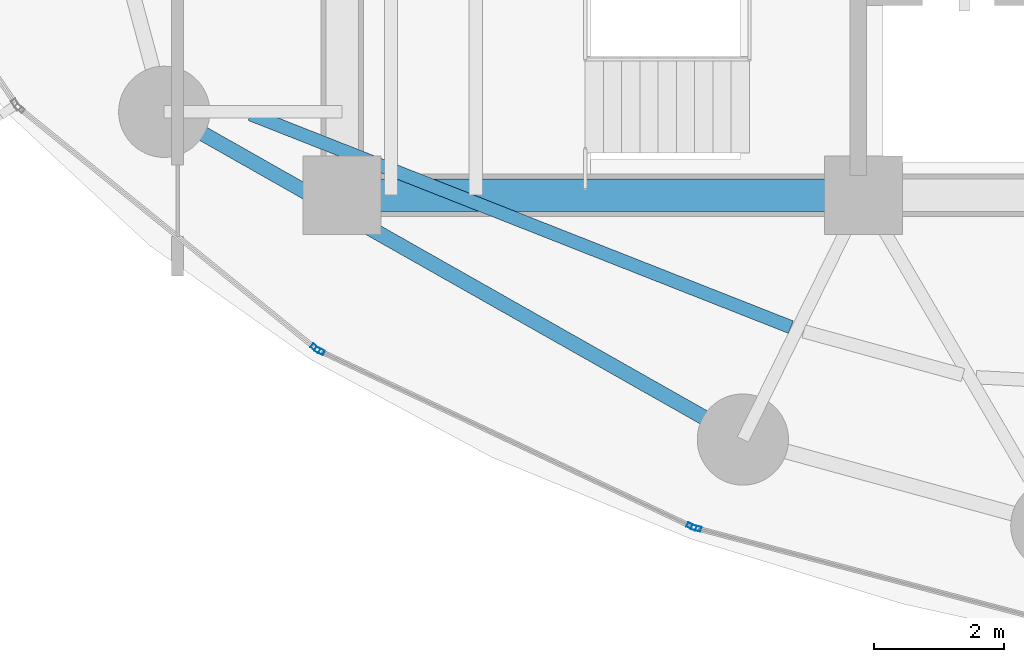
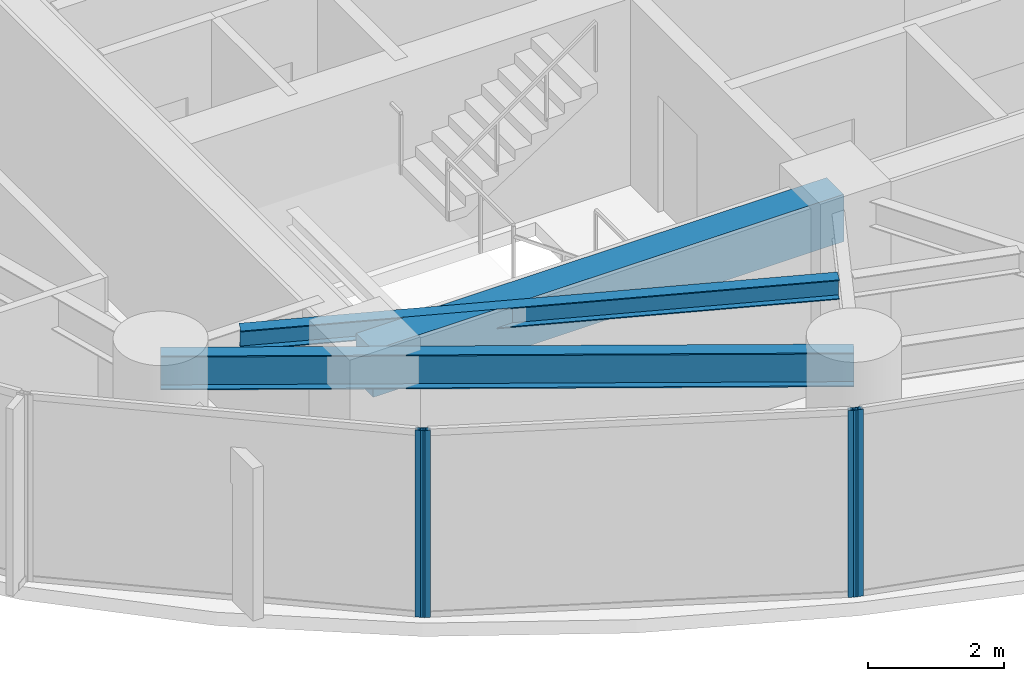
# One storey, part 2 of 31: 4 members, 3 beams, 3 elements without a shape of their own.
"""IFC4 building model written with IfcOpenShell, lengths in metres."""

from ifc_helpers import new_model, si_unit, direction, frame, origin, origin_2d, place, context, subcontext, project, spatial, rectangle, hollow_rectangle, i_section, extrude, material, layer, layer_set, material_profile, profile_set, type_object, element, aggregate, save


model = new_model("IFC4")

# Units and contexts
model_context = context("Model", 3, precision=1e-05, world=origin(), true_north=direction((0.0, 1.0)))
body_context = subcontext(model_context, "Body", "Model", "MODEL_VIEW")
ifc_project = project(units=[si_unit("LENGTHUNIT", "METRE"), si_unit("AREAUNIT", "SQUARE_METRE"), si_unit("VOLUMEUNIT", "CUBIC_METRE"), si_unit("PLANEANGLEUNIT", "RADIAN"), si_unit("MASSUNIT", "GRAM", prefix="KILO")], contexts=[model_context])

# Site, building, storey
site_placement = place(None, origin())
site = spatial("IfcSite", under=ifc_project, at=site_placement, CompositionType="ELEMENT")
building_placement = place(site_placement, origin())
building = spatial("IfcBuilding", under=site, at=building_placement, Name="Kazevale Care Tower and Concert Hall", CompositionType="ELEMENT")
storey_placement = place(building_placement, frame((0.0, 0.0, 81.60009765625)))
storey = spatial("IfcBuildingStorey", under=building, at=storey_placement, Name="L21", CompositionType="ELEMENT", Elevation=81.60009765625)

# Curtain wall, member
ifc_material_1 = material(Name="Aluminium 6063-T6 and Low-E Glass", Category="aluminium")
ifc_layer = layer(ifc_material_1, 0.179931640625)
ifc_layer_set = layer_set([ifc_layer], Name="Aluminium 6063-T6 and Low-E Glass")
curtain_wall_type = type_object("IfcCurtainWallType", Name="Sheltered Concave Balcony Curtain Wall CW-5", PredefinedType="NOTDEFINED", material=ifc_layer_set)
curtain_wall_1_placement = place(storey_placement, origin())
curtain_wall_1 = element("IfcCurtainWall", 1, at=curtain_wall_1_placement, inside=storey, type_object=curtain_wall_type, Name="cw:L21:f08", PredefinedType="NOTDEFINED")
ifc_material_2 = material(Name="Aluminium 6063-T6", Category="aluminium")
ifc_material_profile_1 = material_profile(ifc_material_2, hollow_rectangle(XDim=0.074951171875, YDim=0.14990234375, WallThickness=0.00390625, at=origin_2d()), Name="ALU75x150x4")
ifc_profile_set_1 = profile_set([ifc_material_profile_1], Name="Aluminium 6063-T6")
member_type = type_object("IfcMemberType", Name="CW-5 Mullion ALU75x150x4", PredefinedType="MULLION", material=ifc_profile_set_1)
member_1_placement = place(storey_placement, frame((27.433349609375, 18.489501953125, 0.0), z_axis=(0.0, 0.0, 1.0), x_axis=(-0.254828630267, -0.966986230097, 0.0)))
member_1 = element("IfcMember", 2, at=member_1_placement, type_object=member_type, Name="CW-5 mullion 2", PredefinedType="MULLION", context=body_context, shape_type="SweptSolid", body=[
    extrude(hollow_rectangle(XDim=0.074951171875, YDim=0.14990234375, WallThickness=0.00390625, at=origin_2d()), origin(), (0.0, 0.0, 1.0), 3.35986328125),
])
aggregate(curtain_wall_1, [member_1])

# Curtain wall, members
curtain_wall_2_placement = place(storey_placement, origin())
curtain_wall_2 = element("IfcCurtainWall", 3, at=curtain_wall_2_placement, inside=storey, type_object=curtain_wall_type, Name="cw:L21:f09", PredefinedType="NOTDEFINED")
member_2_placement = place(storey_placement, frame((27.363037109375, 18.514892578125, 0.0), z_axis=(0.0, 0.0, 1.0), x_axis=(-0.426942320459, -0.904278859092, 0.0)))
member_2 = element("IfcMember", 4, at=member_2_placement, type_object=member_type, Name="CW-5 mullion 1", PredefinedType="MULLION", context=body_context, shape_type="SweptSolid", body=[
    extrude(hollow_rectangle(XDim=0.074951171875, YDim=0.14990234375, WallThickness=0.00390625, at=origin_2d()), origin(), (0.0, 0.0, 1.0), 3.35986328125),
])
member_3_placement = place(storey_placement, frame((21.65283203125, 21.2109375, 0.0), z_axis=(0.0, 0.0, 1.0), x_axis=(-0.426942320459, -0.904278859092, 0.0)))
member_3 = element("IfcMember", 5, at=member_3_placement, type_object=member_type, Name="CW-5 mullion 2", PredefinedType="MULLION", context=body_context, shape_type="SweptSolid", body=[
    extrude(hollow_rectangle(XDim=0.074951171875, YDim=0.14990234375, WallThickness=0.00390625, at=origin_2d()), origin(), (0.0, 0.0, 1.0), 3.35986328125),
])
aggregate(curtain_wall_2, [member_2, member_3])

# Curtain wall, member
curtain_wall_3_placement = place(storey_placement, origin())
curtain_wall_3 = element("IfcCurtainWall", 6, at=curtain_wall_3_placement, inside=storey, type_object=curtain_wall_type, Name="cw:L21:f10", PredefinedType="NOTDEFINED")
member_4_placement = place(storey_placement, frame((21.58984375, 21.250732421875, 0.0), z_axis=(0.0, 0.0, 1.0), x_axis=(-0.629994732952, -0.77659940539, 0.0)))
member_4 = element("IfcMember", 7, at=member_4_placement, type_object=member_type, Name="CW-5 mullion 1", PredefinedType="MULLION", context=body_context, shape_type="SweptSolid", body=[
    extrude(hollow_rectangle(XDim=0.074951171875, YDim=0.14990234375, WallThickness=0.00390625, at=origin_2d()), origin(), (0.0, 0.0, 1.0), 3.35986328125),
])
aggregate(curtain_wall_3, [member_4])

# Beams
ifc_material_3 = material(Name="Concrete C60", Category="concrete")
ifc_material_profile_2 = material_profile(ifc_material_3, rectangle(XDim=0.5, YDim=0.85009765625, at=origin_2d()), Name="RC-B500x850")
ifc_profile_set_2 = profile_set([ifc_material_profile_2], Name="Concrete C60")
beam_type_1 = type_object("IfcBeamType", Name="Core Coupling Beam RC500x850", PredefinedType="LINTEL", material=ifc_profile_set_2)
beam_1_placement = place(storey_placement, frame((22.0, 23.60009765625, 2.934814453125), z_axis=(1.0, 0.0, 0.0), x_axis=(0.0, 1.0, 0.0)))
element("IfcBeam", 8, at=beam_1_placement, inside=storey, type_object=beam_type_1, Name="beam:L21:coretie:1", PredefinedType="LINTEL", context=body_context, shape_type="SweptSolid", body=[
    extrude(rectangle(XDim=0.5, YDim=0.85009765625, at=origin_2d()), origin(), (0.0, 0.0, 1.0), 8.0),
])
ifc_material_4 = material(Name="Steel ASTM A572 Gr 50", Category="steel")
ifc_material_profile_3 = material_profile(ifc_material_4, i_section(OverallWidth=0.22900390625, OverallDepth=0.612060546875, WebThickness=0.011962890625, FlangeThickness=0.01953125, at=origin_2d()), Name="W610x125")
ifc_profile_set_3 = profile_set([ifc_material_profile_3], Name="Steel ASTM A572 Gr 50")
beam_type_2 = type_object("IfcBeamType", Name="Ring Spandrel Beam W610x125", PredefinedType="SPANDREL", material=ifc_profile_set_3)
beam_2_placement = place(storey_placement, frame((19.27001953125, 24.8798828125, 3.053955078125), z_axis=(0.870112469479, -0.492853213906, 0.0), x_axis=(0.492853213906, 0.870112469479, 0.0)))
element("IfcBeam", 9, at=beam_2_placement, inside=storey, type_object=beam_type_2, Name="beam:L21:ring:10", PredefinedType="SPANDREL", context=body_context, shape_type="SweptSolid", body=[
    extrude(i_section(OverallWidth=0.22900390625, OverallDepth=0.612060546875, WebThickness=0.011962890625, FlangeThickness=0.01953125, at=origin_2d()), origin(), (0.0, 0.0, 1.0), 10.205322265625),
])
ifc_material_profile_4 = material_profile(ifc_material_4, i_section(OverallWidth=0.205078125, OverallDepth=0.35400390625, WebThickness=0.009521484375, FlangeThickness=0.016845703125, at=origin_2d()), Name="W360x79")
ifc_profile_set_4 = profile_set([ifc_material_profile_4], Name="Steel ASTM A572 Gr 50")
beam_type_3 = type_object("IfcBeamType", Name="Secondary Floor Joist W360x79", PredefinedType="JOIST", material=ifc_profile_set_4)
beam_3_placement = place(storey_placement, frame((20.595947265625, 24.842041015625, 3.182861328125), z_axis=(0.930380638802, -0.366594963062, 0.0), x_axis=(0.366594963062, 0.930380638802, 0.0)))
element("IfcBeam", 10, at=beam_3_placement, inside=storey, type_object=beam_type_3, Name="beam:L21:joist:10", PredefinedType="JOIST", context=body_context, shape_type="SweptSolid", body=[
    extrude(i_section(OverallWidth=0.205078125, OverallDepth=0.35400390625, WebThickness=0.009521484375, FlangeThickness=0.016845703125, at=origin_2d()), origin(), (0.0, 0.0, 1.0), 8.909423828125),
])

save(model, "model.ifc")
